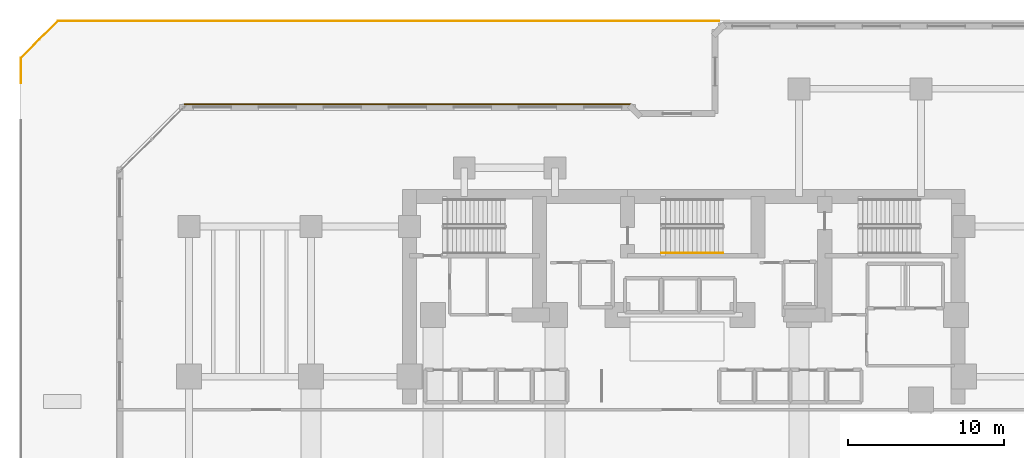
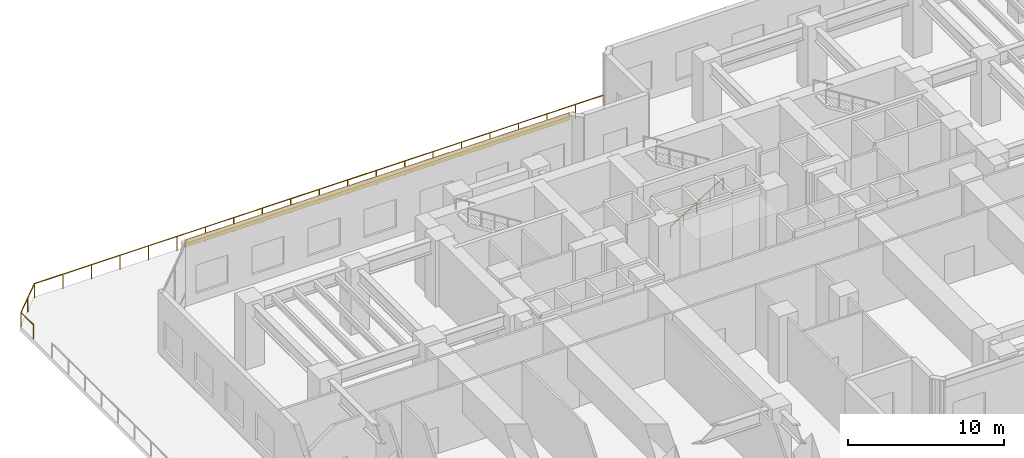
# One storey, part 11 of 13: 2 railings, 1 covering.
"""IFC4 building model written with IfcOpenShell, lengths in metres."""

from ifc_helpers import new_model, si_unit, direction, frame, origin, origin_2d, place, context, subcontext, project, spatial, rectangle, circle, extrude, material, layer, layer_set, type_object, element, save


model = new_model("IFC4")

# Units and contexts
model_context = context("Model", 3, precision=1e-05, world=origin(), true_north=direction((0.0, 1.0)))
body_context = subcontext(model_context, "Body", "Model", "MODEL_VIEW")
ifc_project = project(units=[si_unit("LENGTHUNIT", "METRE"), si_unit("AREAUNIT", "SQUARE_METRE"), si_unit("VOLUMEUNIT", "CUBIC_METRE"), si_unit("PLANEANGLEUNIT", "RADIAN"), si_unit("MASSUNIT", "GRAM", prefix="KILO")], contexts=[model_context])

# Site, building, storey
site_placement = place(None, origin())
site = spatial("IfcSite", under=ifc_project, at=site_placement, CompositionType="ELEMENT")
building_placement = place(site_placement, origin())
building = spatial("IfcBuilding", under=site, at=building_placement, Name="Kestravale Grand Hotel", CompositionType="ELEMENT")
storey_placement = place(building_placement, frame((0.0, 0.0, 20.800048828125)))
storey = spatial("IfcBuildingStorey", under=building, at=storey_placement, Name="L04", CompositionType="ELEMENT", Elevation=20.800048828125)

# Covering
ifc_material_1 = material(Name="Warm limestone-toned fluted architectural precast cladding", Category="masonry")
ifc_layer = layer(ifc_material_1, 0.074951171875)
ifc_layer_set = layer_set([ifc_layer], Name="COV-CLAD-LIM")
covering_type = type_object("IfcCoveringType", Name="COV-CLAD-LIM", PredefinedType="CLADDING", material=ifc_layer_set)
covering_placement = place(storey_placement, frame((21.77490234375, 46.215087890625, 4.36474609375), z_axis=(0.0, 0.0, 1.0), x_axis=(-1.0, 0.0, 0.0)))
element("IfcCovering", 1, at=covering_placement, inside=storey, type_object=covering_type, Name="L04 fluted limestone spandrel cladding 17", PredefinedType="CLADDING", context=body_context, shape_type="SweptSolid", body=[
    extrude(rectangle(XDim=28.530029296875, YDim=0.074951171875, at=origin_2d()), origin(), (0.0, 0.0, 1.0), 0.550048828125),
])

# Railings
ifc_material_2 = material(Name="Champagne-bronze stainless steel and laminated glass guard", Category="steel")
railing_type_1 = type_object("IfcRailingType", Name="RL-EXT-1100", PredefinedType="GUARDRAIL", material=ifc_material_2)
railing_1_placement = place(storey_placement, frame((-2.93994140625, 47.580078125, 0.0)))
element("IfcRailing", 2, at=railing_1_placement, inside=storey, type_object=railing_type_1, Name="L04 outdoor terrace guard 2", PredefinedType="GUARDRAIL", context=body_context, shape_type="SweptSolid", body=[
    extrude(circle(Radius=0.02392578125, at=origin_2d()), frame((0.0, 0.0, 1.09619140625), z_axis=(0.0, 1.0, 0.0), x_axis=(-1.0, 0.0, 0.0)), (0.0, 0.0, 1.0), 1.594970703125),
    extrude(circle(Radius=0.02392578125, at=origin_2d()), frame((0.0, 1.594970703125, 1.09619140625), z_axis=(0.707070280643, 0.707143279846, 0.0), x_axis=(-0.707143279846, 0.707070280643, 0.0)), (0.0, 0.0, 1.0), 3.344482421875),
    extrude(circle(Radius=0.02392578125, at=origin_2d()), frame((2.36474609375, 3.9599609375, 1.09619140625), z_axis=(1.0, 0.0, 0.0), x_axis=(0.0, 1.0, 0.0)), (0.0, 0.0, 1.0), 42.254150390625),
    extrude(circle(Radius=0.02099609375, at=origin_2d()), origin(), (0.0, 0.0, 1.0), 1.072021484375),
    extrude(circle(Radius=0.02099609375, at=origin_2d()), frame((0.0, 1.594970703125, 0.0)), (0.0, 0.0, 1.0), 1.072021484375),
    extrude(circle(Radius=0.02099609375, at=origin_2d()), frame((1.182373046875, 2.77734375, 0.0)), (0.0, 0.0, 1.0), 1.072021484375),
    extrude(circle(Radius=0.02099609375, at=origin_2d()), frame((2.36474609375, 3.9599609375, 0.0)), (0.0, 0.0, 1.0), 1.072021484375),
    extrude(circle(Radius=0.02099609375, at=origin_2d()), frame((4.4775390625, 3.9599609375, 0.0)), (0.0, 0.0, 1.0), 1.072021484375),
    extrude(circle(Radius=0.02099609375, at=origin_2d()), frame((6.590087890625, 3.9599609375, 0.0)), (0.0, 0.0, 1.0), 1.072021484375),
    extrude(circle(Radius=0.02099609375, at=origin_2d()), frame((8.702880859375, 3.9599609375, 0.0)), (0.0, 0.0, 1.0), 1.072021484375),
    extrude(circle(Radius=0.02099609375, at=origin_2d()), frame((10.815673828125, 3.9599609375, 0.0)), (0.0, 0.0, 1.0), 1.072021484375),
    extrude(circle(Radius=0.02099609375, at=origin_2d()), frame((12.92822265625, 3.9599609375, 0.0)), (0.0, 0.0, 1.0), 1.072021484375),
    extrude(circle(Radius=0.02099609375, at=origin_2d()), frame((15.041015625, 3.9599609375, 0.0)), (0.0, 0.0, 1.0), 1.072021484375),
    extrude(circle(Radius=0.02099609375, at=origin_2d()), frame((17.15380859375, 3.9599609375, 0.0)), (0.0, 0.0, 1.0), 1.072021484375),
    extrude(circle(Radius=0.02099609375, at=origin_2d()), frame((19.266357421875, 3.9599609375, 0.0)), (0.0, 0.0, 1.0), 1.072021484375),
    extrude(circle(Radius=0.02099609375, at=origin_2d()), frame((21.379150390625, 3.9599609375, 0.0)), (0.0, 0.0, 1.0), 1.072021484375),
    extrude(circle(Radius=0.02099609375, at=origin_2d()), frame((23.49169921875, 3.9599609375, 0.0)), (0.0, 0.0, 1.0), 1.072021484375),
    extrude(circle(Radius=0.02099609375, at=origin_2d()), frame((25.6044921875, 3.9599609375, 0.0)), (0.0, 0.0, 1.0), 1.072021484375),
    extrude(circle(Radius=0.02099609375, at=origin_2d()), frame((27.71728515625, 3.9599609375, 0.0)), (0.0, 0.0, 1.0), 1.072021484375),
    extrude(circle(Radius=0.02099609375, at=origin_2d()), frame((29.829833984375, 3.9599609375, 0.0)), (0.0, 0.0, 1.0), 1.072021484375),
    extrude(circle(Radius=0.02099609375, at=origin_2d()), frame((31.942626953125, 3.9599609375, 0.0)), (0.0, 0.0, 1.0), 1.072021484375),
    extrude(circle(Radius=0.02099609375, at=origin_2d()), frame((34.055419921875, 3.9599609375, 0.0)), (0.0, 0.0, 1.0), 1.072021484375),
    extrude(circle(Radius=0.02099609375, at=origin_2d()), frame((36.16796875, 3.9599609375, 0.0)), (0.0, 0.0, 1.0), 1.072021484375),
    extrude(circle(Radius=0.02099609375, at=origin_2d()), frame((38.28076171875, 3.9599609375, 0.0)), (0.0, 0.0, 1.0), 1.072021484375),
    extrude(circle(Radius=0.02099609375, at=origin_2d()), frame((40.3935546875, 3.9599609375, 0.0)), (0.0, 0.0, 1.0), 1.072021484375),
    extrude(circle(Radius=0.02099609375, at=origin_2d()), frame((42.506103515625, 3.9599609375, 0.0)), (0.0, 0.0, 1.0), 1.072021484375),
    extrude(circle(Radius=0.02099609375, at=origin_2d()), frame((44.618896484375, 3.9599609375, 0.0)), (0.0, 0.0, 1.0), 1.072021484375),
])
ifc_material_3 = material(Name="Brushed stainless steel wall handrail", Category="steel")
railing_type_2 = type_object("IfcRailingType", Name="RL-ST-HND900", PredefinedType="HANDRAIL", material=ifc_material_3)
railing_2_placement = place(storey_placement, frame((38.030029296875, 36.699951171875, 0.17333984375)))
element("IfcRailing", 3, at=railing_2_placement, inside=storey, type_object=railing_type_2, Name="L04 ST-2 stair handrail 1", PredefinedType="HANDRAIL", context=body_context, shape_type="SweptSolid", body=[
    extrude(circle(Radius=0.02392578125, at=origin_2d()), frame((0.0, 0.0, 0.8759765625), z_axis=(0.850275303828, 0.0, 0.526338206574), x_axis=(0.0, 1.0, 0.0)), (0.0, 0.0, 1.0), 4.610107421875),
    extrude(circle(Radius=0.02099609375, at=origin_2d()), origin(), (0.0, 0.0, 1.0), 0.851806640625),
    extrude(circle(Radius=0.02099609375, at=origin_2d()), frame((0.97998046875, 0.0, 0.606689453125)), (0.0, 0.0, 1.0), 0.851806640625),
    extrude(circle(Radius=0.02099609375, at=origin_2d()), frame((1.9599609375, 0.0, 1.21337890625)), (0.0, 0.0, 1.0), 0.851806640625),
    extrude(circle(Radius=0.02099609375, at=origin_2d()), frame((2.93994140625, 0.0, 1.81982421875)), (0.0, 0.0, 1.0), 0.851806640625),
    extrude(circle(Radius=0.02099609375, at=origin_2d()), frame((3.919921875, 0.0, 2.426513671875)), (0.0, 0.0, 1.0), 0.851806640625),
])

save(model, "model.ifc")
